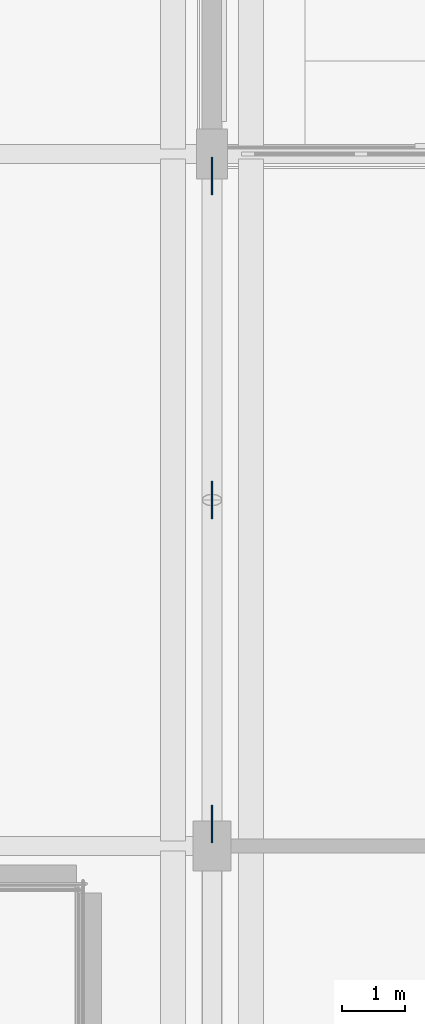
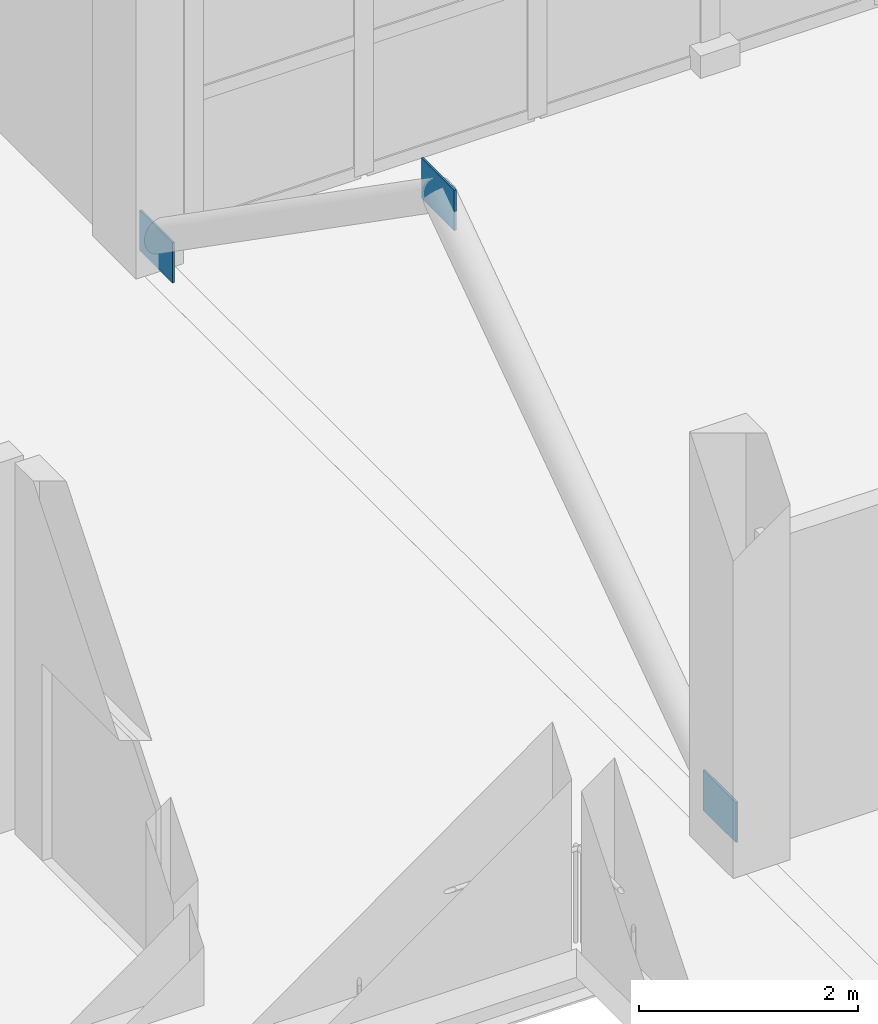
# One storey, part 77 of 118: 3 plates.
"""IFC4 building model written with IfcOpenShell, lengths in metres."""

from ifc_helpers import new_model, si_unit, direction, frame, origin, origin_2d, place, context, subcontext, project, spatial, rectangle, extrude, material, layer, layer_set, type_object, element, save


model = new_model("IFC4")

# Units and contexts
model_context = context("Model", 3, precision=1e-05, world=origin(), true_north=direction((0.0, 1.0)))
body_context = subcontext(model_context, "Body", "Model", "MODEL_VIEW")
ifc_project = project(units=[si_unit("LENGTHUNIT", "METRE"), si_unit("AREAUNIT", "SQUARE_METRE"), si_unit("VOLUMEUNIT", "CUBIC_METRE"), si_unit("PLANEANGLEUNIT", "RADIAN"), si_unit("MASSUNIT", "GRAM", prefix="KILO")], contexts=[model_context])

# Site, building, storey
site_placement = place(None, origin())
site = spatial("IfcSite", under=ifc_project, at=site_placement, CompositionType="ELEMENT")
building_placement = place(site_placement, origin())
building = spatial("IfcBuilding", under=site, at=building_placement, Name="Luwafu Chhajja Arena", CompositionType="ELEMENT")
storey_placement = place(building_placement, frame((0.0, 0.0, 10.199951171875)))
storey = spatial("IfcBuildingStorey", under=building, at=storey_placement, Name="L02", CompositionType="ELEMENT", Elevation=10.199951171875)

# Plates
ifc_material = material(Name="Steel S355", Category="steel")
ifc_layer = layer(ifc_material, 0.02197265625, Name="Steel S355")
ifc_layer_set = layer_set([ifc_layer], Name="Steel S355")
plate_type = type_object("IfcPlateType", Name="Lateral Brace Gusset Plate BN-1", PredefinedType="USERDEFINED", material=ifc_layer_set)
for number, where, z_axis, x_axis, name in (
    (1, (164.0, 27.5, 3.73193359375), (0.0, 0.0, 1.0), (1.0, 0.0, 0.0), "L02 Chevron Apex Gusset Plate BN-1 09"),
    (2, (164.0, 22.35009765625, 0.02490234375), (0.0, 0.0, 1.0), (1.0, 0.0, 0.0), "L02 Brace Base Gusset BN-1 09A"),
    (3, (164.0, 32.64990234375, 0.02490234375), (0.0, 0.0, 1.0), (1.0, 0.0, 0.0), "L02 Brace Base Gusset BN-1 09B"),
):
    element("IfcPlate", number, at=place(storey_placement, frame(where, z_axis=z_axis, x_axis=x_axis)), inside=storey, type_object=plate_type, Name=name, ObjectType="GUSSET PLATE", PredefinedType="USERDEFINED", context=body_context, shape_type="SweptSolid", body=[
        extrude(rectangle(XDim=0.02197265625, YDim=0.60009765625, at=origin_2d()), origin(), (0.0, 0.0, 1.0), 0.449951171875),
    ])

save(model, "model.ifc")
